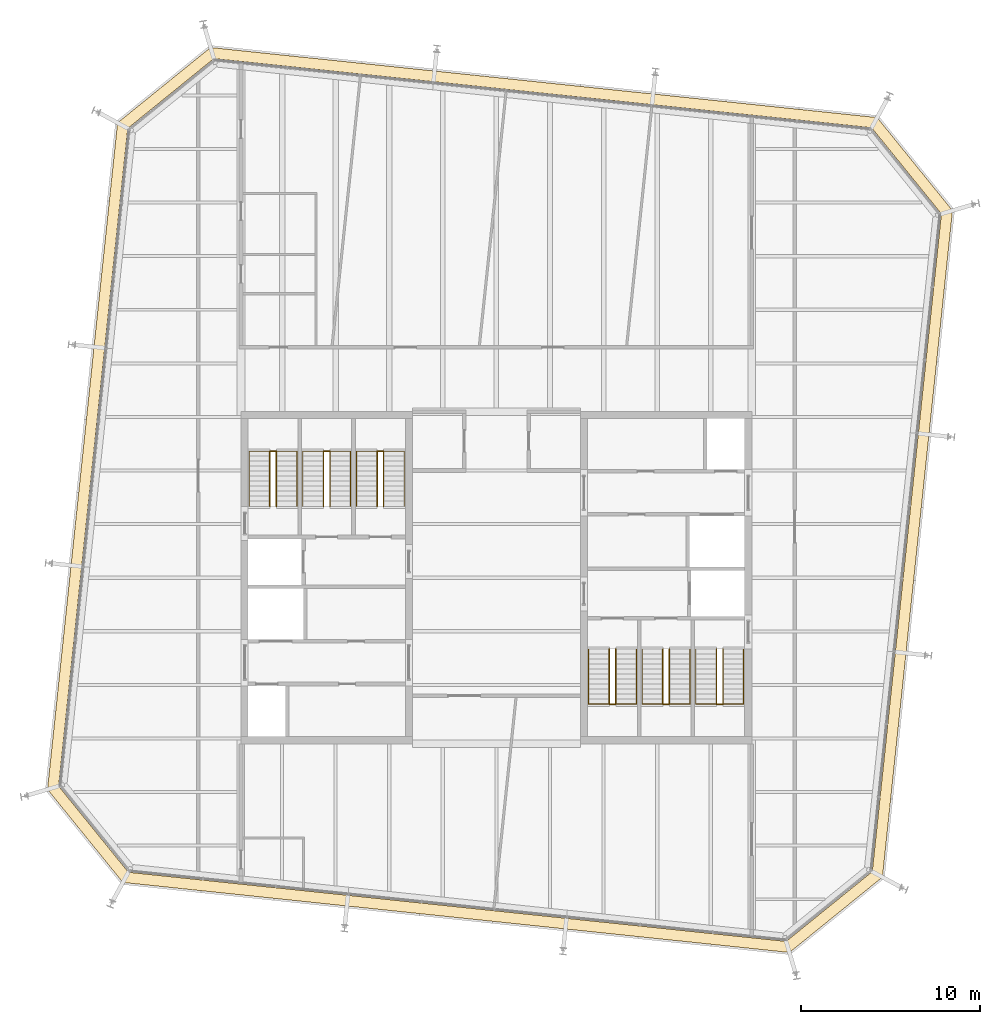
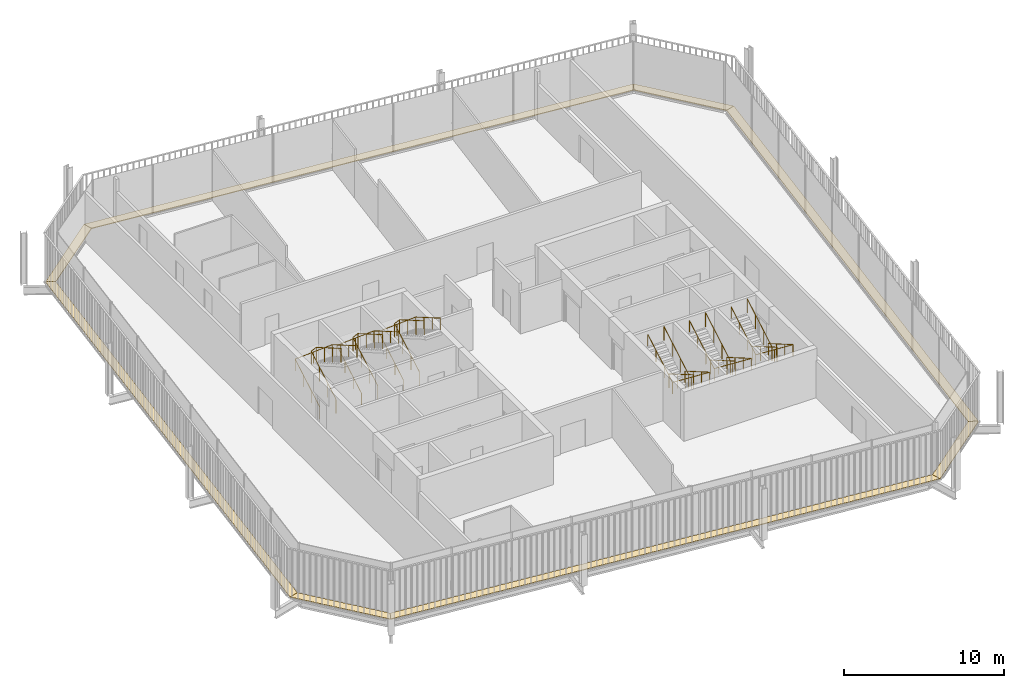
# One storey, part 20 of 20: 12 railings, 8 coverings.
"""IFC4 building model written with IfcOpenShell, lengths in metres."""

from ifc_helpers import new_model, si_unit, direction, frame, origin, origin_2d, place, context, subcontext, project, spatial, polyline, circle, outline, extrude, material, layer, layer_set, type_object, element, save


model = new_model("IFC4")

# Units and contexts
model_context = context("Model", 3, precision=1e-05, world=origin(), true_north=direction((0.0, 1.0)))
body_context = subcontext(model_context, "Body", "Model", "MODEL_VIEW")
ifc_project = project(units=[si_unit("LENGTHUNIT", "METRE"), si_unit("AREAUNIT", "SQUARE_METRE"), si_unit("VOLUMEUNIT", "CUBIC_METRE"), si_unit("PLANEANGLEUNIT", "RADIAN"), si_unit("MASSUNIT", "GRAM", prefix="KILO")], contexts=[model_context])

# Site, building, storey
site_placement = place(None, origin())
site = spatial("IfcSite", under=ifc_project, at=site_placement, CompositionType="ELEMENT")
building_placement = place(site_placement, origin())
building = spatial("IfcBuilding", under=site, at=building_placement, Name="Millrace Tower", CompositionType="ELEMENT")
storey_placement = place(building_placement, frame((0.0, 0.0, 330.39990234375)))
storey = spatial("IfcBuildingStorey", under=building, at=storey_placement, Name="L76", CompositionType="ELEMENT", Elevation=330.39990234375)

# Coverings
ifc_material_1 = material(Name="Steel ASTM A36", Category="steel")
ifc_layer = layer(ifc_material_1, 0.050048828125)
ifc_layer_set = layer_set([ifc_layer], Name="Steel ASTM A36")
covering_type = type_object("IfcCoveringType", Name="CAVITY CATWALK steel grating", PredefinedType="FLOORING", material=ifc_layer_set)
placement = place(storey_placement, frame((0.0, 0.0, 0.10009765625)))
element("IfcCovering", 1, at=placement, inside=storey, type_object=covering_type, Name="Cavity catwalk grating E-F01 L76 1", PredefinedType="FLOORING", context=body_context, shape_type="SweptSolid", body=[
    extrude(outline(polyline([(-25.13232421875, -11.8515625), (-20.914306640625, -17.060302734375), (-20.6044921875, -16.489501953125), (-24.509521484375, -11.6669921875), (-25.13232421875, -11.8515625)])), origin(), (0.0, 0.0, 1.0), 0.050048828125),
])
element("IfcCovering", 2, at=placement, inside=storey, type_object=covering_type, Name="Cavity catwalk grating E-F02 L76 1", PredefinedType="FLOORING", context=body_context, shape_type="SweptSolid", body=[
    extrude(outline(polyline([(-20.914306640625, -17.060302734375), (16.4013671875, -20.982177734375), (16.217041015625, -20.359619140625), (-20.6044921875, -16.489501953125), (-20.914306640625, -17.060302734375)])), origin(), (0.0, 0.0, 1.0), 0.050048828125),
])
element("IfcCovering", 3, at=placement, inside=storey, type_object=covering_type, Name="Cavity catwalk grating E-F03 L76 1", PredefinedType="FLOORING", context=body_context, shape_type="SweptSolid", body=[
    extrude(outline(polyline([(16.4013671875, -20.982177734375), (21.6103515625, -16.764404296875), (21.03955078125, -16.454345703125), (16.217041015625, -20.359619140625), (16.4013671875, -20.982177734375)])), origin(), (0.0, 0.0, 1.0), 0.050048828125),
])
element("IfcCovering", 4, at=placement, inside=storey, type_object=covering_type, Name="Cavity catwalk grating E-F04 L76 1", PredefinedType="FLOORING", context=body_context, shape_type="SweptSolid", body=[
    extrude(outline(polyline([(21.6103515625, -16.764404296875), (25.5322265625, 20.551513671875), (24.90966796875, 20.366943359375), (21.03955078125, -16.454345703125), (21.6103515625, -16.764404296875)])), origin(), (0.0, 0.0, 1.0), 0.050048828125),
])
element("IfcCovering", 5, at=placement, inside=storey, type_object=covering_type, Name="Cavity catwalk grating E-F05 L76 1", PredefinedType="FLOORING", context=body_context, shape_type="SweptSolid", body=[
    extrude(outline(polyline([(25.5322265625, 20.551513671875), (21.314208984375, 25.76025390625), (21.00439453125, 25.189453125), (24.90966796875, 20.366943359375), (25.5322265625, 20.551513671875)])), origin(), (0.0, 0.0, 1.0), 0.050048828125),
])
element("IfcCovering", 6, at=placement, inside=storey, type_object=covering_type, Name="Cavity catwalk grating E-F06 L76 1", PredefinedType="FLOORING", context=body_context, shape_type="SweptSolid", body=[
    extrude(outline(polyline([(21.314208984375, 25.76025390625), (-16.00146484375, 29.682373046875), (-15.817138671875, 29.0595703125), (21.00439453125, 25.189453125), (21.314208984375, 25.76025390625)])), origin(), (0.0, 0.0, 1.0), 0.050048828125),
])
element("IfcCovering", 7, at=placement, inside=storey, type_object=covering_type, Name="Cavity catwalk grating E-F07 L76 1", PredefinedType="FLOORING", context=body_context, shape_type="SweptSolid", body=[
    extrude(outline(polyline([(-16.00146484375, 29.682373046875), (-21.210205078125, 25.46435546875), (-20.639404296875, 25.154541015625), (-15.817138671875, 29.0595703125), (-16.00146484375, 29.682373046875)])), origin(), (0.0, 0.0, 1.0), 0.050048828125),
])
element("IfcCovering", 8, at=placement, inside=storey, type_object=covering_type, Name="Cavity catwalk grating E-F08 L76 1", PredefinedType="FLOORING", context=body_context, shape_type="SweptSolid", body=[
    extrude(outline(polyline([(-21.210205078125, 25.46435546875), (-25.13232421875, -11.8515625), (-24.509521484375, -11.6669921875), (-20.639404296875, 25.154541015625), (-21.210205078125, 25.46435546875)])), origin(), (0.0, 0.0, 1.0), 0.050048828125),
])

# Railings
ifc_material_2 = material(Name="Stainless steel ASTM A240 type 316", Category="steel")
railing_type_1 = type_object("IfcRailingType", Name="Stair guard 1100", PredefinedType="GUARDRAIL", material=ifc_material_2)
for number, where, name in (
    (9, (-12.679931640625, 4.0, 0.16259765625), "Stair guard 1 W L76"),
    (10, (-9.679931640625, 4.0, 0.16259765625), "Stair guard 2 W L76"),
    (11, (-6.679931640625, 4.0, 0.16259765625), "Stair guard 3 W L76"),
):
    element("IfcRailing", number, at=place(storey_placement, frame(where)), inside=storey, type_object=railing_type_1, Name=name, PredefinedType="GUARDRAIL", context=body_context, shape_type="SweptSolid", body=[
        extrude(circle(Radius=0.02392578125, at=origin_2d()), frame((0.0, 0.0, 1.076171875), z_axis=(0.0, 0.864890721111, 0.501960198159), x_axis=(-1.0, 0.0, 0.0)), (0.0, 0.0, 1.0), 3.561279296875),
        extrude(circle(Radius=0.02392578125, at=origin_2d()), frame((0.0, 3.080078125, 2.86376953125), z_axis=(0.91152767309, 0.0, 0.411238739895), x_axis=(0.0, 1.0, 0.0)), (0.0, 0.0, 1.0), 0.394775390625),
        extrude(circle(Radius=0.02392578125, at=origin_2d()), frame((0.35986328125, 3.080078125, 3.02587890625), z_axis=(0.0, -0.864890721111, 0.501960198159), x_axis=(1.0, 0.0, 0.0)), (0.0, 0.0, 1.0), 3.561279296875),
        extrude(circle(Radius=0.02099609375, at=origin_2d()), origin(), (0.0, 0.0, 1.0), 1.052001953125),
        extrude(circle(Radius=0.02099609375, at=origin_2d()), frame((0.0, 1.026611328125, 0.595947265625)), (0.0, 0.0, 1.0), 1.052001953125),
        extrude(circle(Radius=0.02099609375, at=origin_2d()), frame((0.0, 2.053466796875, 1.191650390625)), (0.0, 0.0, 1.0), 1.052001953125),
        extrude(circle(Radius=0.02099609375, at=origin_2d()), frame((0.0, 3.080078125, 1.78759765625)), (0.0, 0.0, 1.0), 1.052001953125),
        extrude(circle(Radius=0.02099609375, at=origin_2d()), frame((0.35986328125, 3.080078125, 1.949951171875)), (0.0, 0.0, 1.0), 1.052001953125),
        extrude(circle(Radius=0.02099609375, at=origin_2d()), frame((0.35986328125, 2.053466796875, 2.5458984375)), (0.0, 0.0, 1.0), 1.052001953125),
        extrude(circle(Radius=0.02099609375, at=origin_2d()), frame((0.35986328125, 1.026611328125, 3.1416015625)), (0.0, 0.0, 1.0), 1.052001953125),
        extrude(circle(Radius=0.02099609375, at=origin_2d()), frame((0.35986328125, 0.0, 3.737548828125)), (0.0, 0.0, 1.0), 1.052001953125),
    ])
for number, where, name in (
    (12, (12.679931640625, -4.0, 0.16259765625), "Stair guard 1 E L76"),
    (13, (9.679931640625, -4.0, 0.16259765625), "Stair guard 2 E L76"),
    (14, (6.679931640625, -4.0, 0.16259765625), "Stair guard 3 E L76"),
):
    element("IfcRailing", number, at=place(storey_placement, frame(where)), inside=storey, type_object=railing_type_1, Name=name, PredefinedType="GUARDRAIL", context=body_context, shape_type="SweptSolid", body=[
        extrude(circle(Radius=0.02392578125, at=origin_2d()), frame((0.0, 0.0, 1.076171875), z_axis=(0.0, -0.864890721111, 0.501960198159), x_axis=(1.0, 0.0, 0.0)), (0.0, 0.0, 1.0), 3.561279296875),
        extrude(circle(Radius=0.02392578125, at=origin_2d()), frame((0.0, -3.080078125, 2.86376953125), z_axis=(-0.91152767309, 0.0, 0.411238739895), x_axis=(0.0, -1.0, 0.0)), (0.0, 0.0, 1.0), 0.394775390625),
        extrude(circle(Radius=0.02392578125, at=origin_2d()), frame((-0.35986328125, -3.080078125, 3.02587890625), z_axis=(0.0, 0.864890721111, 0.501960198159), x_axis=(-1.0, 0.0, 0.0)), (0.0, 0.0, 1.0), 3.561279296875),
        extrude(circle(Radius=0.02099609375, at=origin_2d()), origin(), (0.0, 0.0, 1.0), 1.052001953125),
        extrude(circle(Radius=0.02099609375, at=origin_2d()), frame((0.0, -1.026611328125, 0.595947265625)), (0.0, 0.0, 1.0), 1.052001953125),
        extrude(circle(Radius=0.02099609375, at=origin_2d()), frame((0.0, -2.053466796875, 1.191650390625)), (0.0, 0.0, 1.0), 1.052001953125),
        extrude(circle(Radius=0.02099609375, at=origin_2d()), frame((0.0, -3.080078125, 1.78759765625)), (0.0, 0.0, 1.0), 1.052001953125),
        extrude(circle(Radius=0.02099609375, at=origin_2d()), frame((-0.35986328125, -3.080078125, 1.949951171875)), (0.0, 0.0, 1.0), 1.052001953125),
        extrude(circle(Radius=0.02099609375, at=origin_2d()), frame((-0.35986328125, -2.053466796875, 2.5458984375)), (0.0, 0.0, 1.0), 1.052001953125),
        extrude(circle(Radius=0.02099609375, at=origin_2d()), frame((-0.35986328125, -1.026611328125, 3.1416015625)), (0.0, 0.0, 1.0), 1.052001953125),
        extrude(circle(Radius=0.02099609375, at=origin_2d()), frame((-0.35986328125, 0.0, 3.737548828125)), (0.0, 0.0, 1.0), 1.052001953125),
    ])
ifc_material_3 = material(Name="Stainless steel ASTM A240 type 316", Category="steel")
railing_type_2 = type_object("IfcRailingType", Name="Stair handrail 900", PredefinedType="HANDRAIL", material=ifc_material_3)
railing_1_placement = place(storey_placement, frame((-13.840087890625, 4.0, 0.16259765625)))
element("IfcRailing", 15, at=railing_1_placement, inside=storey, type_object=railing_type_2, Name="Stair handrail 1 W L76", PredefinedType="HANDRAIL", context=body_context, shape_type="SweptSolid", body=[
    extrude(circle(Radius=0.02392578125, at=origin_2d()), frame((0.0, 0.0, 0.8759765625), z_axis=(0.0, 0.864890721111, 0.501960198159), x_axis=(-1.0, 0.0, 0.0)), (0.0, 0.0, 1.0), 3.561279296875),
    extrude(circle(Radius=0.02392578125, at=origin_2d()), frame((0.0, 3.080078125, 2.66357421875), z_axis=(0.998170326313, 0.0, 0.06046486309), x_axis=(0.0, 1.0, 0.0)), (0.0, 0.0, 1.0), 2.68505859375),
    extrude(circle(Radius=0.02392578125, at=origin_2d()), frame((2.68017578125, 3.080078125, 2.82568359375), z_axis=(0.0, -0.864890721111, 0.501960198159), x_axis=(1.0, 0.0, 0.0)), (0.0, 0.0, 1.0), 3.561279296875),
    extrude(circle(Radius=0.02099609375, at=origin_2d()), origin(), (0.0, 0.0, 1.0), 0.851806640625),
    extrude(circle(Radius=0.02099609375, at=origin_2d()), frame((0.0, 1.026611328125, 0.595947265625)), (0.0, 0.0, 1.0), 0.851806640625),
    extrude(circle(Radius=0.02099609375, at=origin_2d()), frame((0.0, 2.053466796875, 1.191650390625)), (0.0, 0.0, 1.0), 0.851806640625),
    extrude(circle(Radius=0.02099609375, at=origin_2d()), frame((0.0, 3.080078125, 1.78759765625)), (0.0, 0.0, 1.0), 0.851806640625),
    extrude(circle(Radius=0.02099609375, at=origin_2d()), frame((1.340087890625, 3.080078125, 1.86865234375)), (0.0, 0.0, 1.0), 0.851806640625),
    extrude(circle(Radius=0.02099609375, at=origin_2d()), frame((2.68017578125, 3.080078125, 1.949951171875)), (0.0, 0.0, 1.0), 0.851806640625),
    extrude(circle(Radius=0.02099609375, at=origin_2d()), frame((2.68017578125, 2.053466796875, 2.5458984375)), (0.0, 0.0, 1.0), 0.851806640625),
    extrude(circle(Radius=0.02099609375, at=origin_2d()), frame((2.68017578125, 1.026611328125, 3.1416015625)), (0.0, 0.0, 1.0), 0.851806640625),
    extrude(circle(Radius=0.02099609375, at=origin_2d()), frame((2.68017578125, 0.0, 3.737548828125)), (0.0, 0.0, 1.0), 0.851806640625),
])
railing_2_placement = place(storey_placement, frame((-10.840087890625, 4.0, 0.16259765625)))
element("IfcRailing", 16, at=railing_2_placement, inside=storey, type_object=railing_type_2, Name="Stair handrail 2 W L76", PredefinedType="HANDRAIL", context=body_context, shape_type="SweptSolid", body=[
    extrude(circle(Radius=0.02392578125, at=origin_2d()), frame((0.0, 0.0, 0.8759765625), z_axis=(0.0, 0.864890721111, 0.501960198159), x_axis=(-1.0, 0.0, 0.0)), (0.0, 0.0, 1.0), 3.561279296875),
    extrude(circle(Radius=0.02392578125, at=origin_2d()), frame((0.0, 3.080078125, 2.66357421875), z_axis=(0.998170326313, 0.0, 0.06046486309), x_axis=(0.0, 1.0, 0.0)), (0.0, 0.0, 1.0), 2.68505859375),
    extrude(circle(Radius=0.02392578125, at=origin_2d()), frame((2.68017578125, 3.080078125, 2.82568359375), z_axis=(0.0, -0.864890721111, 0.501960198159), x_axis=(1.0, 0.0, 0.0)), (0.0, 0.0, 1.0), 3.561279296875),
    extrude(circle(Radius=0.02099609375, at=origin_2d()), origin(), (0.0, 0.0, 1.0), 0.851806640625),
    extrude(circle(Radius=0.02099609375, at=origin_2d()), frame((0.0, 1.026611328125, 0.595947265625)), (0.0, 0.0, 1.0), 0.851806640625),
    extrude(circle(Radius=0.02099609375, at=origin_2d()), frame((0.0, 2.053466796875, 1.191650390625)), (0.0, 0.0, 1.0), 0.851806640625),
    extrude(circle(Radius=0.02099609375, at=origin_2d()), frame((0.0, 3.080078125, 1.78759765625)), (0.0, 0.0, 1.0), 0.851806640625),
    extrude(circle(Radius=0.02099609375, at=origin_2d()), frame((1.340087890625, 3.080078125, 1.86865234375)), (0.0, 0.0, 1.0), 0.851806640625),
    extrude(circle(Radius=0.02099609375, at=origin_2d()), frame((2.68017578125, 3.080078125, 1.949951171875)), (0.0, 0.0, 1.0), 0.851806640625),
    extrude(circle(Radius=0.02099609375, at=origin_2d()), frame((2.68017578125, 2.053466796875, 2.5458984375)), (0.0, 0.0, 1.0), 0.851806640625),
    extrude(circle(Radius=0.02099609375, at=origin_2d()), frame((2.68017578125, 1.026611328125, 3.1416015625)), (0.0, 0.0, 1.0), 0.851806640625),
    extrude(circle(Radius=0.02099609375, at=origin_2d()), frame((2.68017578125, 0.0, 3.737548828125)), (0.0, 0.0, 1.0), 0.851806640625),
])
railing_3_placement = place(storey_placement, frame((-7.840087890625, 4.0, 0.16259765625)))
element("IfcRailing", 17, at=railing_3_placement, inside=storey, type_object=railing_type_2, Name="Stair handrail 3 W L76", PredefinedType="HANDRAIL", context=body_context, shape_type="SweptSolid", body=[
    extrude(circle(Radius=0.02392578125, at=origin_2d()), frame((0.0, 0.0, 0.8759765625), z_axis=(0.0, 0.864890721111, 0.501960198159), x_axis=(-1.0, 0.0, 0.0)), (0.0, 0.0, 1.0), 3.561279296875),
    extrude(circle(Radius=0.02392578125, at=origin_2d()), frame((0.0, 3.080078125, 2.66357421875), z_axis=(0.998170326313, 0.0, 0.06046486309), x_axis=(0.0, 1.0, 0.0)), (0.0, 0.0, 1.0), 2.68505859375),
    extrude(circle(Radius=0.02392578125, at=origin_2d()), frame((2.68017578125, 3.080078125, 2.82568359375), z_axis=(0.0, -0.864890721111, 0.501960198159), x_axis=(1.0, 0.0, 0.0)), (0.0, 0.0, 1.0), 3.561279296875),
    extrude(circle(Radius=0.02099609375, at=origin_2d()), origin(), (0.0, 0.0, 1.0), 0.851806640625),
    extrude(circle(Radius=0.02099609375, at=origin_2d()), frame((0.0, 1.026611328125, 0.595947265625)), (0.0, 0.0, 1.0), 0.851806640625),
    extrude(circle(Radius=0.02099609375, at=origin_2d()), frame((0.0, 2.053466796875, 1.191650390625)), (0.0, 0.0, 1.0), 0.851806640625),
    extrude(circle(Radius=0.02099609375, at=origin_2d()), frame((0.0, 3.080078125, 1.78759765625)), (0.0, 0.0, 1.0), 0.851806640625),
    extrude(circle(Radius=0.02099609375, at=origin_2d()), frame((1.340087890625, 3.080078125, 1.86865234375)), (0.0, 0.0, 1.0), 0.851806640625),
    extrude(circle(Radius=0.02099609375, at=origin_2d()), frame((2.68017578125, 3.080078125, 1.949951171875)), (0.0, 0.0, 1.0), 0.851806640625),
    extrude(circle(Radius=0.02099609375, at=origin_2d()), frame((2.68017578125, 2.053466796875, 2.5458984375)), (0.0, 0.0, 1.0), 0.851806640625),
    extrude(circle(Radius=0.02099609375, at=origin_2d()), frame((2.68017578125, 1.026611328125, 3.1416015625)), (0.0, 0.0, 1.0), 0.851806640625),
    extrude(circle(Radius=0.02099609375, at=origin_2d()), frame((2.68017578125, 0.0, 3.737548828125)), (0.0, 0.0, 1.0), 0.851806640625),
])
railing_4_placement = place(storey_placement, frame((13.840087890625, -4.0, 0.16259765625)))
element("IfcRailing", 18, at=railing_4_placement, inside=storey, type_object=railing_type_2, Name="Stair handrail 1 E L76", PredefinedType="HANDRAIL", context=body_context, shape_type="SweptSolid", body=[
    extrude(circle(Radius=0.02392578125, at=origin_2d()), frame((0.0, 0.0, 0.8759765625), z_axis=(0.0, -0.864890721111, 0.501960198159), x_axis=(1.0, 0.0, 0.0)), (0.0, 0.0, 1.0), 3.561279296875),
    extrude(circle(Radius=0.02392578125, at=origin_2d()), frame((0.0, -3.080078125, 2.66357421875), z_axis=(-0.998170326313, 0.0, 0.06046486309), x_axis=(0.0, -1.0, 0.0)), (0.0, 0.0, 1.0), 2.68505859375),
    extrude(circle(Radius=0.02392578125, at=origin_2d()), frame((-2.68017578125, -3.080078125, 2.82568359375), z_axis=(0.0, 0.864890721111, 0.501960198159), x_axis=(-1.0, 0.0, 0.0)), (0.0, 0.0, 1.0), 3.561279296875),
    extrude(circle(Radius=0.02099609375, at=origin_2d()), origin(), (0.0, 0.0, 1.0), 0.851806640625),
    extrude(circle(Radius=0.02099609375, at=origin_2d()), frame((0.0, -1.026611328125, 0.595947265625)), (0.0, 0.0, 1.0), 0.851806640625),
    extrude(circle(Radius=0.02099609375, at=origin_2d()), frame((0.0, -2.053466796875, 1.191650390625)), (0.0, 0.0, 1.0), 0.851806640625),
    extrude(circle(Radius=0.02099609375, at=origin_2d()), frame((0.0, -3.080078125, 1.78759765625)), (0.0, 0.0, 1.0), 0.851806640625),
    extrude(circle(Radius=0.02099609375, at=origin_2d()), frame((-1.340087890625, -3.080078125, 1.86865234375)), (0.0, 0.0, 1.0), 0.851806640625),
    extrude(circle(Radius=0.02099609375, at=origin_2d()), frame((-2.68017578125, -3.080078125, 1.949951171875)), (0.0, 0.0, 1.0), 0.851806640625),
    extrude(circle(Radius=0.02099609375, at=origin_2d()), frame((-2.68017578125, -2.053466796875, 2.5458984375)), (0.0, 0.0, 1.0), 0.851806640625),
    extrude(circle(Radius=0.02099609375, at=origin_2d()), frame((-2.68017578125, -1.026611328125, 3.1416015625)), (0.0, 0.0, 1.0), 0.851806640625),
    extrude(circle(Radius=0.02099609375, at=origin_2d()), frame((-2.68017578125, 0.0, 3.737548828125)), (0.0, 0.0, 1.0), 0.851806640625),
])
railing_5_placement = place(storey_placement, frame((10.840087890625, -4.0, 0.16259765625)))
element("IfcRailing", 19, at=railing_5_placement, inside=storey, type_object=railing_type_2, Name="Stair handrail 2 E L76", PredefinedType="HANDRAIL", context=body_context, shape_type="SweptSolid", body=[
    extrude(circle(Radius=0.02392578125, at=origin_2d()), frame((0.0, 0.0, 0.8759765625), z_axis=(0.0, -0.864890721111, 0.501960198159), x_axis=(1.0, 0.0, 0.0)), (0.0, 0.0, 1.0), 3.561279296875),
    extrude(circle(Radius=0.02392578125, at=origin_2d()), frame((0.0, -3.080078125, 2.66357421875), z_axis=(-0.998170326313, 0.0, 0.06046486309), x_axis=(0.0, -1.0, 0.0)), (0.0, 0.0, 1.0), 2.68505859375),
    extrude(circle(Radius=0.02392578125, at=origin_2d()), frame((-2.68017578125, -3.080078125, 2.82568359375), z_axis=(0.0, 0.864890721111, 0.501960198159), x_axis=(-1.0, 0.0, 0.0)), (0.0, 0.0, 1.0), 3.561279296875),
    extrude(circle(Radius=0.02099609375, at=origin_2d()), origin(), (0.0, 0.0, 1.0), 0.851806640625),
    extrude(circle(Radius=0.02099609375, at=origin_2d()), frame((0.0, -1.026611328125, 0.595947265625)), (0.0, 0.0, 1.0), 0.851806640625),
    extrude(circle(Radius=0.02099609375, at=origin_2d()), frame((0.0, -2.053466796875, 1.191650390625)), (0.0, 0.0, 1.0), 0.851806640625),
    extrude(circle(Radius=0.02099609375, at=origin_2d()), frame((0.0, -3.080078125, 1.78759765625)), (0.0, 0.0, 1.0), 0.851806640625),
    extrude(circle(Radius=0.02099609375, at=origin_2d()), frame((-1.340087890625, -3.080078125, 1.86865234375)), (0.0, 0.0, 1.0), 0.851806640625),
    extrude(circle(Radius=0.02099609375, at=origin_2d()), frame((-2.68017578125, -3.080078125, 1.949951171875)), (0.0, 0.0, 1.0), 0.851806640625),
    extrude(circle(Radius=0.02099609375, at=origin_2d()), frame((-2.68017578125, -2.053466796875, 2.5458984375)), (0.0, 0.0, 1.0), 0.851806640625),
    extrude(circle(Radius=0.02099609375, at=origin_2d()), frame((-2.68017578125, -1.026611328125, 3.1416015625)), (0.0, 0.0, 1.0), 0.851806640625),
    extrude(circle(Radius=0.02099609375, at=origin_2d()), frame((-2.68017578125, 0.0, 3.737548828125)), (0.0, 0.0, 1.0), 0.851806640625),
])
railing_6_placement = place(storey_placement, frame((7.840087890625, -4.0, 0.16259765625)))
element("IfcRailing", 20, at=railing_6_placement, inside=storey, type_object=railing_type_2, Name="Stair handrail 3 E L76", PredefinedType="HANDRAIL", context=body_context, shape_type="SweptSolid", body=[
    extrude(circle(Radius=0.02392578125, at=origin_2d()), frame((0.0, 0.0, 0.8759765625), z_axis=(0.0, -0.864890721111, 0.501960198159), x_axis=(1.0, 0.0, 0.0)), (0.0, 0.0, 1.0), 3.561279296875),
    extrude(circle(Radius=0.02392578125, at=origin_2d()), frame((0.0, -3.080078125, 2.66357421875), z_axis=(-0.998170326313, 0.0, 0.06046486309), x_axis=(0.0, -1.0, 0.0)), (0.0, 0.0, 1.0), 2.68505859375),
    extrude(circle(Radius=0.02392578125, at=origin_2d()), frame((-2.68017578125, -3.080078125, 2.82568359375), z_axis=(0.0, 0.864890721111, 0.501960198159), x_axis=(-1.0, 0.0, 0.0)), (0.0, 0.0, 1.0), 3.561279296875),
    extrude(circle(Radius=0.02099609375, at=origin_2d()), origin(), (0.0, 0.0, 1.0), 0.851806640625),
    extrude(circle(Radius=0.02099609375, at=origin_2d()), frame((0.0, -1.026611328125, 0.595947265625)), (0.0, 0.0, 1.0), 0.851806640625),
    extrude(circle(Radius=0.02099609375, at=origin_2d()), frame((0.0, -2.053466796875, 1.191650390625)), (0.0, 0.0, 1.0), 0.851806640625),
    extrude(circle(Radius=0.02099609375, at=origin_2d()), frame((0.0, -3.080078125, 1.78759765625)), (0.0, 0.0, 1.0), 0.851806640625),
    extrude(circle(Radius=0.02099609375, at=origin_2d()), frame((-1.340087890625, -3.080078125, 1.86865234375)), (0.0, 0.0, 1.0), 0.851806640625),
    extrude(circle(Radius=0.02099609375, at=origin_2d()), frame((-2.68017578125, -3.080078125, 1.949951171875)), (0.0, 0.0, 1.0), 0.851806640625),
    extrude(circle(Radius=0.02099609375, at=origin_2d()), frame((-2.68017578125, -2.053466796875, 2.5458984375)), (0.0, 0.0, 1.0), 0.851806640625),
    extrude(circle(Radius=0.02099609375, at=origin_2d()), frame((-2.68017578125, -1.026611328125, 3.1416015625)), (0.0, 0.0, 1.0), 0.851806640625),
    extrude(circle(Radius=0.02099609375, at=origin_2d()), frame((-2.68017578125, 0.0, 3.737548828125)), (0.0, 0.0, 1.0), 0.851806640625),
])

save(model, "model.ifc")
